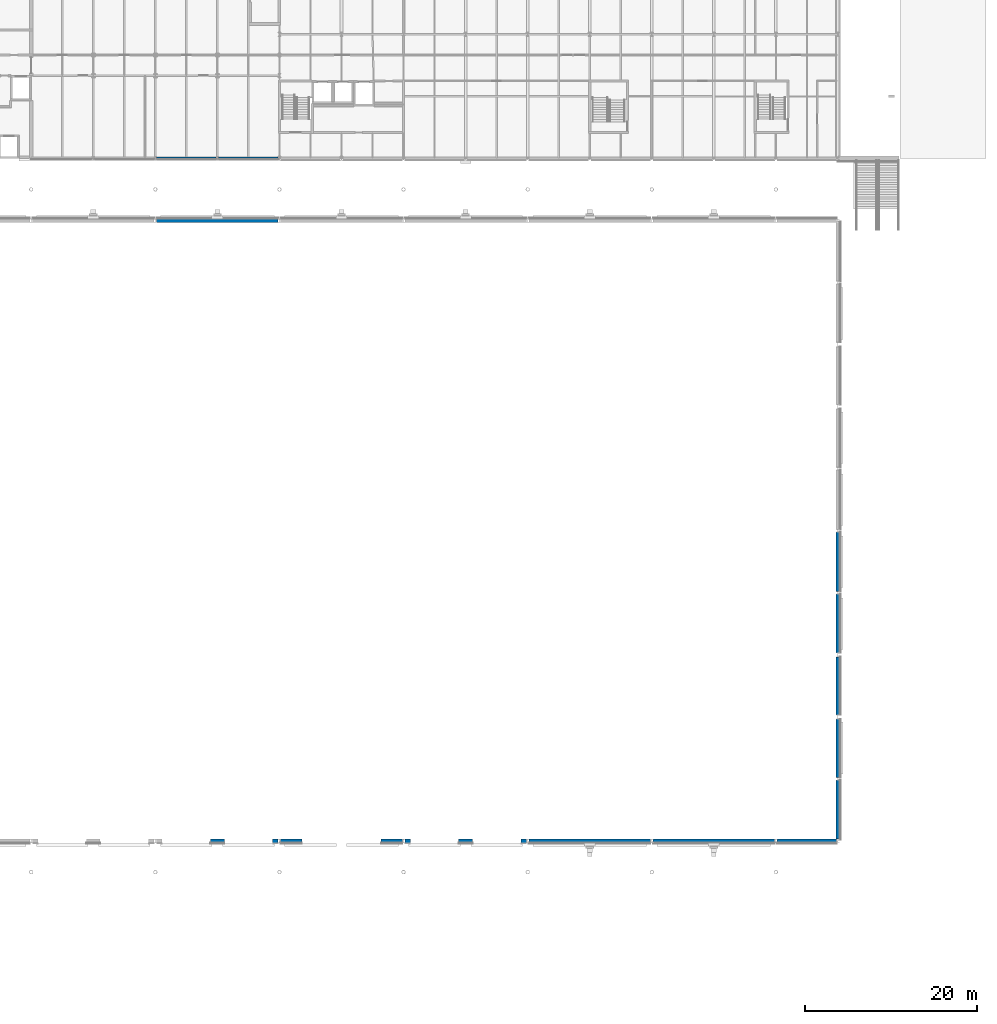
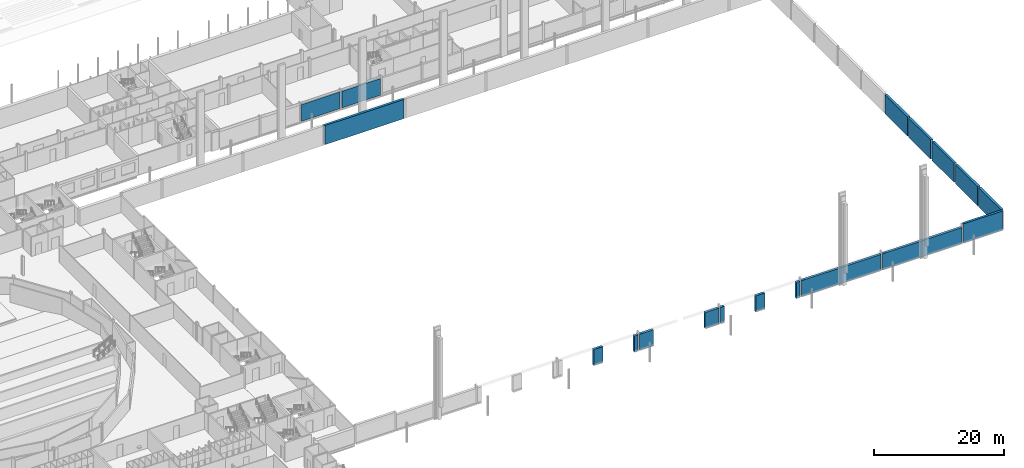
# One storey, part 56 of 90: 18 walls.
"""IFC4 building model written with IfcOpenShell, lengths in metres."""

from ifc_helpers import new_model, si_unit, direction, frame, frame_2d, origin, place, context, subcontext, project, spatial, rectangle, extrude, material, layer, layer_set, type_object, element, save


model = new_model("IFC4")

# Units and contexts
model_context = context("Model", 3, precision=1e-05, world=origin(), true_north=direction((0.0, 1.0)))
body_context = subcontext(model_context, "Body", "Model", "MODEL_VIEW")
ifc_project = project(units=[si_unit("LENGTHUNIT", "METRE"), si_unit("AREAUNIT", "SQUARE_METRE"), si_unit("VOLUMEUNIT", "CUBIC_METRE"), si_unit("PLANEANGLEUNIT", "RADIAN"), si_unit("MASSUNIT", "GRAM", prefix="KILO")], contexts=[model_context])

# Site, building, storey
site_placement = place(None, origin())
site = spatial("IfcSite", under=ifc_project, at=site_placement, CompositionType="ELEMENT")
building_placement = place(site_placement, origin())
building = spatial("IfcBuilding", under=site, at=building_placement, Name="Kupolbacken Congress Centre", CompositionType="ELEMENT")
storey_placement = place(building_placement, frame((0.0, 0.0, 3.60009765625)))
storey = spatial("IfcBuildingStorey", under=building, at=storey_placement, Name="L01", CompositionType="ELEMENT", Elevation=3.60009765625)

# Walls
ifc_material_1 = material(Name="Limestone", Category="masonry")
ifc_layer_1 = layer(ifc_material_1, 0.06005859375)
ifc_material_2 = material(Name="Air cavity", Category="air")
ifc_layer_2 = layer(ifc_material_2, 0.0400390625, ventilated=True)
ifc_material_3 = material(Name="Mineral wool", Category="insulation")
ifc_layer_3 = layer(ifc_material_3, 0.14990234375)
ifc_material_4 = material(Name="Steel studs", Category="metal")
ifc_layer_4 = layer(ifc_material_4, 0.050048828125)
ifc_layer_set_1 = layer_set([ifc_layer_1, ifc_layer_2, ifc_layer_3, ifc_layer_4], Name="Limestone / Mineral wool / Steel studs")
wall_type_1 = type_object("IfcWallType", Name="EW01 external cavity wall 300", PredefinedType="SOLIDWALL", material=ifc_layer_set_1)
wall_1_placement = place(storey_placement, frame((122.553466796875, 122.39990234375, 0.0), z_axis=(0.0, 0.0, 1.0), x_axis=(1.0, 0.0, 0.0)))
element("IfcWall", 1, at=wall_1_placement, inside=storey, type_object=wall_type_1, Name="E/T/S/L01/012", PredefinedType="SOLIDWALL", context=body_context, shape_type="SweptSolid", body=[
    extrude(rectangle(XDim=6.89306640625, YDim=0.300048828125, at=frame_2d((3.446533203125, 0.0))), origin(), (0.0, 0.0, 1.0), 3.119873046875),
])
wall_2_placement = place(storey_placement, frame((129.75341796875, 122.39990234375, 0.0), z_axis=(0.0, 0.0, 1.0), x_axis=(1.0, 0.0, 0.0)))
element("IfcWall", 2, at=wall_2_placement, inside=storey, type_object=wall_type_1, Name="E/T/S/L01/013", PredefinedType="SOLIDWALL", context=body_context, shape_type="SweptSolid", body=[
    extrude(rectangle(XDim=6.896484375, YDim=0.300048828125, at=frame_2d((3.4482421875, 0.0))), origin(), (0.0, 0.0, 1.0), 3.119873046875),
])
ifc_material_5 = material(Name="Brick", Category="masonry")
ifc_layer_5 = layer(ifc_material_5, 0.10791015625)
ifc_layer_6 = layer(ifc_material_2, 0.0400390625, ventilated=True)
ifc_layer_7 = layer(ifc_material_3, 0.152099609375)
ifc_material_6 = material(Name="Concrete block", Category="masonry")
ifc_layer_8 = layer(ifc_material_6, 0.1201171875)
ifc_layer_set_2 = layer_set([ifc_layer_5, ifc_layer_6, ifc_layer_7, ifc_layer_8], Name="Brick / Mineral wool / Concrete block")
wall_type_2 = type_object("IfcWallType", Name="EW04 external cavity wall 420", PredefinedType="SOLIDWALL", material=ifc_layer_set_2)
wall_3_placement = place(storey_placement, frame((201.60009765625, 43.409912109375, 0.0), z_axis=(0.0, 0.0, 1.0), x_axis=(0.0, 1.0, 0.0)))
element("IfcWall", 3, at=wall_3_placement, inside=storey, type_object=wall_type_2, Name="E/H/E/L01/152", PredefinedType="SOLIDWALL", context=body_context, shape_type="SweptSolid", body=[
    extrude(rectangle(XDim=6.844970703125, YDim=0.419921875, at=frame_2d((3.42236328125, 0.0))), origin(), (0.0, 0.0, 1.0), 3.599853515625),
])
wall_4_placement = place(storey_placement, frame((201.60009765625, 50.544921875, 0.0), z_axis=(0.0, 0.0, 1.0), x_axis=(0.0, 1.0, 0.0)))
element("IfcWall", 4, at=wall_4_placement, inside=storey, type_object=wall_type_2, Name="E/H/E/L01/153", PredefinedType="SOLIDWALL", context=body_context, shape_type="SweptSolid", body=[
    extrude(rectangle(XDim=6.81005859375, YDim=0.419921875, at=frame_2d((3.405029296875, 0.0))), origin(), (0.0, 0.0, 1.0), 3.599853515625),
])
wall_5_placement = place(storey_placement, frame((201.60009765625, 57.844970703125, 0.0), z_axis=(0.0, 0.0, 1.0), x_axis=(0.0, 1.0, 0.0)))
element("IfcWall", 5, at=wall_5_placement, inside=storey, type_object=wall_type_2, Name="E/H/E/L01/154", PredefinedType="SOLIDWALL", context=body_context, shape_type="SweptSolid", body=[
    extrude(rectangle(XDim=6.7099609375, YDim=0.419921875, at=frame_2d((3.35498046875, 0.0))), origin(), (0.0, 0.0, 1.0), 3.599853515625),
])
wall_6_placement = place(storey_placement, frame((201.60009765625, 65.044921875, 0.0), z_axis=(0.0, 0.0, 1.0), x_axis=(0.0, 1.0, 0.0)))
element("IfcWall", 6, at=wall_6_placement, inside=storey, type_object=wall_type_2, Name="E/H/E/L01/155", PredefinedType="SOLIDWALL", context=body_context, shape_type="SweptSolid", body=[
    extrude(rectangle(XDim=6.81005859375, YDim=0.419921875, at=frame_2d((3.405029296875, 0.0))), origin(), (0.0, 0.0, 1.0), 3.599853515625),
])
wall_7_placement = place(storey_placement, frame((201.60009765625, 72.14501953125, 0.0), z_axis=(0.0, 0.0, 1.0), x_axis=(0.0, 1.0, 0.0)))
element("IfcWall", 7, at=wall_7_placement, inside=storey, type_object=wall_type_2, Name="E/H/E/L01/156", PredefinedType="SOLIDWALL", context=body_context, shape_type="SweptSolid", body=[
    extrude(rectangle(XDim=6.909912109375, YDim=0.419921875, at=frame_2d((3.455078125, 0.0))), origin(), (0.0, 0.0, 1.0), 3.599853515625),
])
wall_8_placement = place(storey_placement, frame((136.64990234375, 115.199951171875, 0.0), z_axis=(0.0, 0.0, 1.0), x_axis=(-1.0, 0.0, 0.0)))
element("IfcWall", 8, at=wall_8_placement, inside=storey, type_object=wall_type_2, Name="E/H/N/L01/167", PredefinedType="SOLIDWALL", context=body_context, shape_type="SweptSolid", body=[
    extrude(rectangle(XDim=14.099853515625, YDim=0.419921875, at=frame_2d((7.0498046875, 0.0))), origin(), (0.0, 0.0, 1.0), 3.599853515625),
])
wall_9_placement = place(storey_placement, frame((128.800048828125, 43.199951171875, 0.0), z_axis=(0.0, 0.0, 1.0), x_axis=(1.0, 0.0, 0.0)))
element("IfcWall", 9, at=wall_9_placement, inside=storey, type_object=wall_type_2, Name="E/H/S/L01/177", PredefinedType="SOLIDWALL", context=body_context, shape_type="SweptSolid", body=[
    extrude(rectangle(XDim=1.599853515625, YDim=0.419921875, at=frame_2d((0.7998046875, 0.0))), origin(), (0.0, 0.0, 1.0), 3.0),
])
wall_10_placement = place(storey_placement, frame((136.0, 43.199951171875, 0.0), z_axis=(0.0, 0.0, 1.0), x_axis=(1.0, 0.0, 0.0)))
element("IfcWall", 10, at=wall_10_placement, inside=storey, type_object=wall_type_2, Name="E/H/S/L01/178", PredefinedType="SOLIDWALL", context=body_context, shape_type="SweptSolid", body=[
    extrude(rectangle(XDim=0.64990234375, YDim=0.419921875, at=frame_2d((0.324951171875, 0.0))), origin(), (0.0, 0.0, 1.0), 3.0),
])
for number, where, z_axis, x_axis, name in (
    (11, (136.949951171875, 43.199951171875, 0.0), (0.0, 0.0, 1.0), (1.0, 0.0, 0.0), "E/H/S/L01/179"),
    (12, (148.60009765625, 43.199951171875, 0.0), (0.0, 0.0, 1.0), (1.0, 0.0, 0.0), "E/H/S/L01/180"),
):
    element("IfcWall", number, at=place(storey_placement, frame(where, z_axis=z_axis, x_axis=x_axis)), inside=storey, type_object=wall_type_2, Name=name, PredefinedType="SOLIDWALL", context=body_context, shape_type="SweptSolid", body=[
        extrude(rectangle(XDim=2.449951171875, YDim=0.419921875, at=frame_2d((1.22509765625, 0.0))), origin(), (0.0, 0.0, 1.0), 3.0),
    ])
wall_11_placement = place(storey_placement, frame((151.35009765625, 43.199951171875, 0.0), z_axis=(0.0, 0.0, 1.0), x_axis=(1.0, 0.0, 0.0)))
element("IfcWall", 13, at=wall_11_placement, inside=storey, type_object=wall_type_2, Name="E/H/S/L01/181", PredefinedType="SOLIDWALL", context=body_context, shape_type="SweptSolid", body=[
    extrude(rectangle(XDim=0.64990234375, YDim=0.419921875, at=frame_2d((0.324951171875, 0.0))), origin(), (0.0, 0.0, 1.0), 3.0),
])
wall_12_placement = place(storey_placement, frame((157.60009765625, 43.199951171875, 0.0), z_axis=(0.0, 0.0, 1.0), x_axis=(1.0, 0.0, 0.0)))
element("IfcWall", 14, at=wall_12_placement, inside=storey, type_object=wall_type_2, Name="E/H/S/L01/182", PredefinedType="SOLIDWALL", context=body_context, shape_type="SweptSolid", body=[
    extrude(rectangle(XDim=1.599853515625, YDim=0.419921875, at=frame_2d((0.7998046875, 0.0))), origin(), (0.0, 0.0, 1.0), 3.0),
])
wall_13_placement = place(storey_placement, frame((164.800048828125, 43.199951171875, 0.0), z_axis=(0.0, 0.0, 1.0), x_axis=(1.0, 0.0, 0.0)))
element("IfcWall", 15, at=wall_13_placement, inside=storey, type_object=wall_type_2, Name="E/H/S/L01/183", PredefinedType="SOLIDWALL", context=body_context, shape_type="SweptSolid", body=[
    extrude(rectangle(XDim=0.64990234375, YDim=0.419921875, at=frame_2d((0.324951171875, 0.0))), origin(), (0.0, 0.0, 1.0), 3.0),
])
for number, where, z_axis, x_axis, name in (
    (16, (165.75, 43.199951171875, 0.0), (0.0, 0.0, 1.0), (1.0, 0.0, 0.0), "E/H/S/L01/184"),
    (17, (180.14990234375, 43.199951171875, 0.0), (0.0, 0.0, 1.0), (1.0, 0.0, 0.0), "E/H/S/L01/185"),
):
    element("IfcWall", number, at=place(storey_placement, frame(where, z_axis=z_axis, x_axis=x_axis)), inside=storey, type_object=wall_type_2, Name=name, PredefinedType="SOLIDWALL", context=body_context, shape_type="SweptSolid", body=[
        extrude(rectangle(XDim=14.10009765625, YDim=0.419921875, at=frame_2d((7.050048828125, 0.0))), origin(), (0.0, 0.0, 1.0), 3.0),
    ])
wall_14_placement = place(storey_placement, frame((194.550048828125, 43.199951171875, 0.0), z_axis=(0.0, 0.0, 1.0), x_axis=(1.0, 0.0, 0.0)))
element("IfcWall", 18, at=wall_14_placement, inside=storey, type_object=wall_type_2, Name="E/H/S/L01/186", PredefinedType="SOLIDWALL", context=body_context, shape_type="SweptSolid", body=[
    extrude(rectangle(XDim=6.89990234375, YDim=0.419921875, at=frame_2d((3.449951171875, 0.0))), origin(), (0.0, 0.0, 1.0), 3.599853515625),
])

save(model, "model.ifc")
